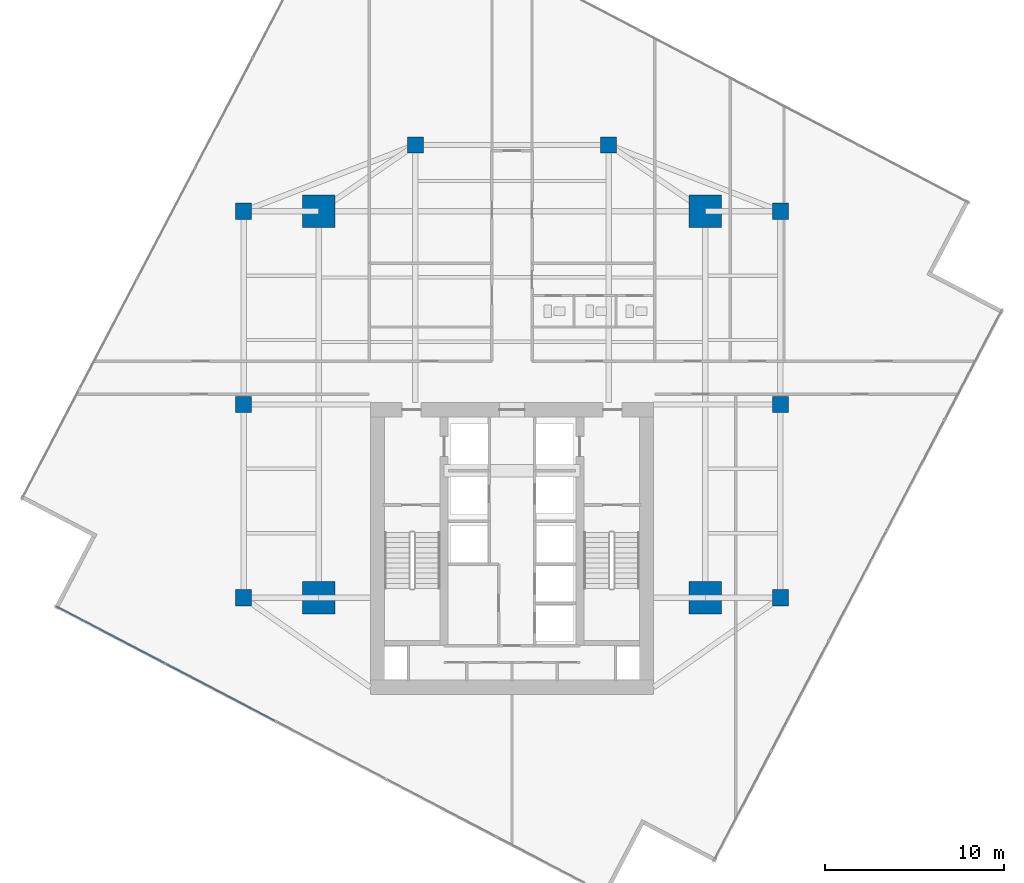
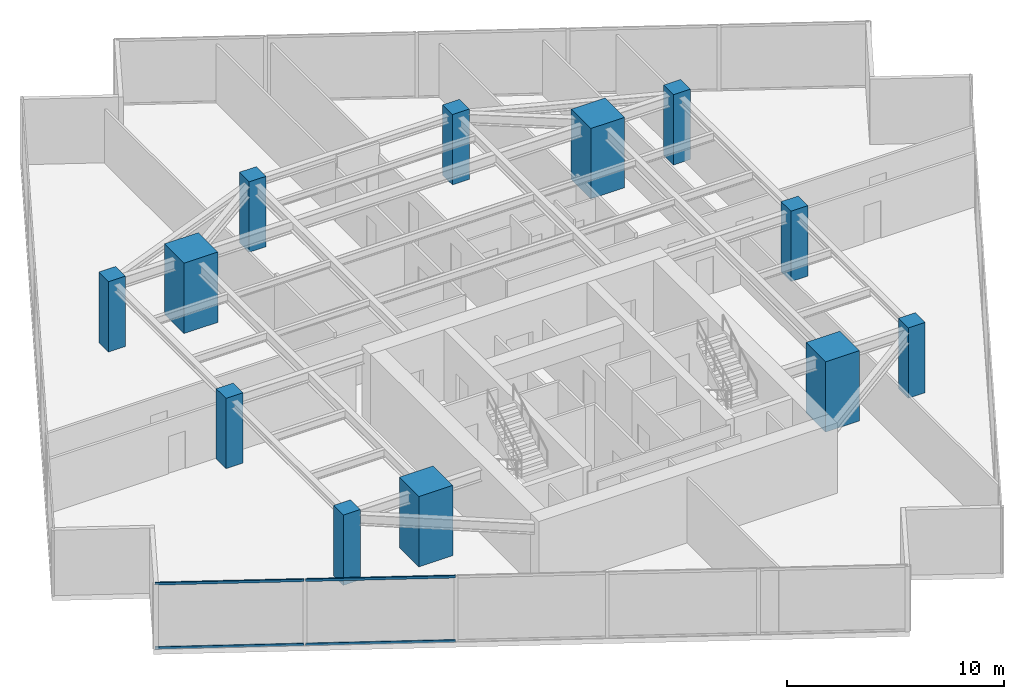
# One storey, part 1 of 27: 12 columns, 4 members, 1 element without a shape of its own.
"""IFC4 building model written with IfcOpenShell, lengths in metres."""

from ifc_helpers import new_model, si_unit, direction, frame, origin, origin_2d, place, context, subcontext, project, spatial, rectangle, hollow_rectangle, extrude, source, transform, mapped, material, material_profile, profile_set, type_object, type_shapes, element, aggregate, save


model = new_model("IFC4")

# Units and contexts
model_context = context("Model", 3, precision=1e-05, world=origin(), true_north=direction((0.0, 1.0)))
body_context = subcontext(model_context, "Body", "Model", "MODEL_VIEW")
ifc_project = project(units=[si_unit("LENGTHUNIT", "METRE"), si_unit("AREAUNIT", "SQUARE_METRE"), si_unit("VOLUMEUNIT", "CUBIC_METRE"), si_unit("PLANEANGLEUNIT", "RADIAN"), si_unit("MASSUNIT", "GRAM", prefix="KILO")], contexts=[model_context])

# Site, building, storey
site_placement = place(None, origin())
site = spatial("IfcSite", under=ifc_project, at=site_placement, CompositionType="ELEMENT")
building_placement = place(site_placement, origin())
building = spatial("IfcBuilding", under=site, at=building_placement, Name="Krantzveldt Concourse Tower", CompositionType="ELEMENT")
storey_placement = place(building_placement, frame((0.0, 0.0, 154.10009765625)))
storey = spatial("IfcBuildingStorey", under=building, at=storey_placement, Name="L37", CompositionType="ELEMENT", Elevation=154.10009765625)

# Columns
ifc_material_1 = material(Name="Concrete C50/60", Category="concrete")
ifc_material_profile_1 = material_profile(ifc_material_1, rectangle(XDim=1.800048828125, YDim=1.800048828125, at=origin_2d()), Name="Concrete C50/60", Category="concrete")
ifc_profile_set_1 = profile_set([ifc_material_profile_1], Name="Concrete C50/60 - RC 1800x1800")
column_type_1 = type_object("IfcColumnType", Name="COL-MC-1800", PredefinedType="USERDEFINED", material=ifc_profile_set_1)
shared_shape_1 = source(origin(), body_context, "Body", "SweptSolid", [
    extrude(rectangle(XDim=1.800048828125, YDim=1.800048828125, at=origin_2d()), origin(), (0.0, 0.0, 1.0), 3.949951171875),
])
type_shapes(column_type_1, [shared_shape_1])
for number, where, z_axis, x_axis, name in (
    (1, (25.199951171875, 15.89990234375, 0.0), (0.0, 0.0, 1.0), (1.0, 0.0, 0.0), "MC-SW-L37"),
    (2, (46.800048828125, 15.89990234375, 0.0), (0.0, 0.0, 1.0), (1.0, 0.0, 0.0), "MC-SE-L37"),
    (3, (46.800048828125, 37.5, 0.0), (0.0, 0.0, 1.0), (1.0, 0.0, 0.0), "MC-NE-L37"),
    (4, (25.199951171875, 37.5, 0.0), (0.0, 0.0, 1.0), (1.0, 0.0, 0.0), "MC-NW-L37"),
):
    element("IfcColumn", number, at=place(storey_placement, frame(where, z_axis=z_axis, x_axis=x_axis)), inside=storey, type_object=column_type_1, Name=name, ObjectType="MEGA COLUMN", PredefinedType="USERDEFINED", context=body_context, shape_type="MappedRepresentation", body=[
        mapped(shared_shape_1, transform((0.0, 0.0, 0.0), x_axis=(1.0, 0.0, 0.0), y_axis=(0.0, 1.0, 0.0), z_axis=(0.0, 0.0, 1.0), scale=1.0)),
    ])
ifc_material_profile_2 = material_profile(ifc_material_1, rectangle(XDim=0.89990234375, YDim=0.89990234375, at=origin_2d()), Name="Concrete C50/60", Category="concrete")
ifc_profile_set_2 = profile_set([ifc_material_profile_2], Name="Concrete C50/60 - RC 900x900")
column_type_2 = type_object("IfcColumnType", Name="COL-C-Z3", PredefinedType="COLUMN", material=ifc_profile_set_2)
shared_shape_2 = source(origin(), body_context, "Body", "SweptSolid", [
    extrude(rectangle(XDim=0.89990234375, YDim=0.89990234375, at=origin_2d()), origin(), (0.0, 0.0, 1.0), 3.949951171875),
])
type_shapes(column_type_2, [shared_shape_2])
for number, where, z_axis, x_axis, name in (
    (5, (21.0, 15.89990234375, 0.0), (0.0, 0.0, 1.0), (1.0, 0.0, 0.0), "PC-R01-L37"),
    (6, (21.0, 26.699951171875, 0.0), (0.0, 0.0, 1.0), (1.0, 0.0, 0.0), "PC-R02-L37"),
    (7, (21.0, 37.5, 0.0), (0.0, 0.0, 1.0), (1.0, 0.0, 0.0), "PC-R03-L37"),
    (8, (30.60009765625, 41.199951171875, 0.0), (0.0, 0.0, 1.0), (1.0, 0.0, 0.0), "PC-R04-L37"),
    (9, (41.39990234375, 41.199951171875, 0.0), (0.0, 0.0, 1.0), (1.0, 0.0, 0.0), "PC-R05-L37"),
    (10, (51.0, 37.5, 0.0), (0.0, 0.0, 1.0), (1.0, 0.0, 0.0), "PC-R06-L37"),
    (11, (51.0, 26.699951171875, 0.0), (0.0, 0.0, 1.0), (1.0, 0.0, 0.0), "PC-R07-L37"),
    (12, (51.0, 15.89990234375, 0.0), (0.0, 0.0, 1.0), (1.0, 0.0, 0.0), "PC-R08-L37"),
):
    element("IfcColumn", number, at=place(storey_placement, frame(where, z_axis=z_axis, x_axis=x_axis)), inside=storey, type_object=column_type_2, Name=name, PredefinedType="COLUMN", context=body_context, shape_type="MappedRepresentation", body=[
        mapped(shared_shape_2, transform((0.0, 0.0, 0.0), x_axis=(1.0, 0.0, 0.0), y_axis=(0.0, 1.0, 0.0), z_axis=(0.0, 0.0, 1.0), scale=1.0)),
    ])

# Curtain wall, members
ifc_material_2 = material(Name="Anodised aluminium 6063-T6", Category="aluminium")
curtain_wall_type = type_object("IfcCurtainWallType", Name="CW3", PredefinedType="USERDEFINED", material=ifc_material_2)
curtain_wall_placement = place(storey_placement, origin())
curtain_wall = element("IfcCurtainWall", 13, at=curtain_wall_placement, inside=storey, type_object=curtain_wall_type, Name="CW-L37-F04", ObjectType="UNITISED CURTAIN WALL", PredefinedType="USERDEFINED")
ifc_material_profile_3 = material_profile(ifc_material_2, hollow_rectangle(XDim=0.070068359375, YDim=0.139892578125, WallThickness=0.0048828125, at=origin_2d()), Name="Anodised aluminium 6063-T6", Category="aluminium")
ifc_profile_set_3 = profile_set([ifc_material_profile_3], Name="Anodised aluminium 6063-T6 - ALU-TRAN 140x70x5")
member_type = type_object("IfcMemberType", Name="CW-TRN-150", PredefinedType="USERDEFINED", material=ifc_profile_set_3)
shared_shape_3 = source(origin(), body_context, "Body", "SweptSolid", [
    extrude(hollow_rectangle(XDim=0.070068359375, YDim=0.139892578125, WallThickness=0.0048828125, at=origin_2d()), origin(), (0.0, 0.0, 1.0), 6.85498046875),
])
member_1_placement = place(storey_placement, frame((10.53271484375, 15.411865234375, 0.034912109375), z_axis=(0.886004354252, -0.463676917957, 0.0), x_axis=(0.463676917957, 0.886004354252, 0.0)))
member_1 = element("IfcMember", 14, at=member_1_placement, type_object=member_type, Name="CW-Z34 transom 1.1", ObjectType="TRANSOM", PredefinedType="USERDEFINED", context=body_context, shape_type="MappedRepresentation", body=[
    mapped(shared_shape_3, transform((0.0, 0.0, 0.0), x_axis=(1.0, 0.0, 0.0), y_axis=(0.0, 1.0, 0.0), z_axis=(0.0, 0.0, 1.0), scale=1.0)),
])
member_2_placement = place(storey_placement, frame((10.53271484375, 15.411865234375, 3.635009765625), z_axis=(0.886004354252, -0.463676917957, 0.0), x_axis=(0.463676917957, 0.886004354252, 0.0)))
member_2 = element("IfcMember", 15, at=member_2_placement, type_object=member_type, Name="CW-Z34 transom 1.2", ObjectType="TRANSOM", PredefinedType="USERDEFINED", context=body_context, shape_type="MappedRepresentation", body=[
    mapped(shared_shape_3, transform((0.0, 0.0, 0.0), x_axis=(1.0, 0.0, 0.0), y_axis=(0.0, 1.0, 0.0), z_axis=(0.0, 0.0, 1.0), scale=1.0)),
])
shared_shape_4 = source(origin(), body_context, "Body", "SweptSolid", [
    extrude(hollow_rectangle(XDim=0.070068359375, YDim=0.139892578125, WallThickness=0.0048828125, at=origin_2d()), origin(), (0.0, 0.0, 1.0), 6.889892578125),
])
type_shapes(member_type, [shared_shape_3, shared_shape_4])
member_3_placement = place(storey_placement, frame((16.668212890625, 12.200927734375, 0.034912109375), z_axis=(0.885996544559, -0.46369184059, 0.0), x_axis=(0.46369184059, 0.885996544559, 0.0)))
member_3 = element("IfcMember", 16, at=member_3_placement, type_object=member_type, Name="CW-Z34 transom 2.1", ObjectType="TRANSOM", PredefinedType="USERDEFINED", context=body_context, shape_type="MappedRepresentation", body=[
    mapped(shared_shape_4, transform((0.0, 0.0, 0.0), x_axis=(1.0, 0.0, 0.0), y_axis=(0.0, 1.0, 0.0), z_axis=(0.0, 0.0, 1.0), scale=1.0)),
])
member_4_placement = place(storey_placement, frame((16.668212890625, 12.200927734375, 3.635009765625), z_axis=(0.885996544559, -0.46369184059, 0.0), x_axis=(0.46369184059, 0.885996544559, 0.0)))
member_4 = element("IfcMember", 17, at=member_4_placement, type_object=member_type, Name="CW-Z34 transom 2.2", ObjectType="TRANSOM", PredefinedType="USERDEFINED", context=body_context, shape_type="MappedRepresentation", body=[
    mapped(shared_shape_4, transform((0.0, 0.0, 0.0), x_axis=(1.0, 0.0, 0.0), y_axis=(0.0, 1.0, 0.0), z_axis=(0.0, 0.0, 1.0), scale=1.0)),
])
aggregate(curtain_wall, [member_1, member_2, member_3, member_4])

save(model, "model.ifc")
